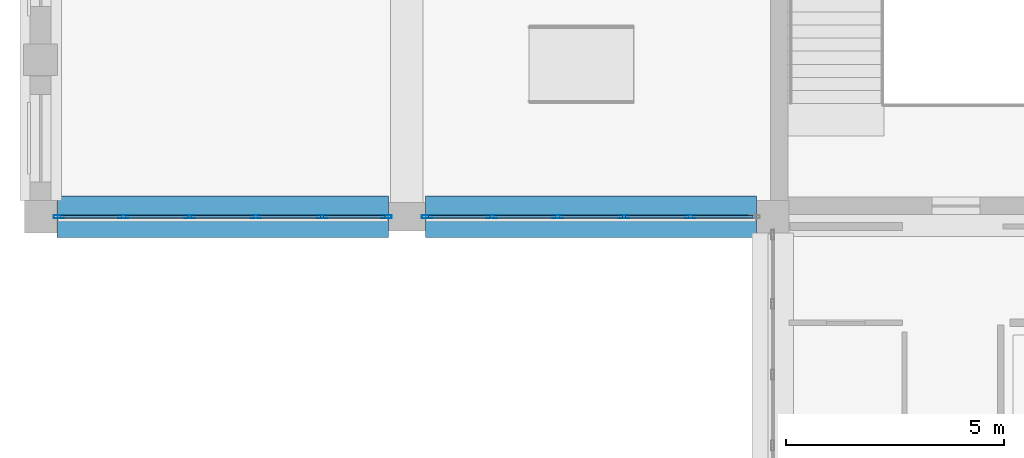
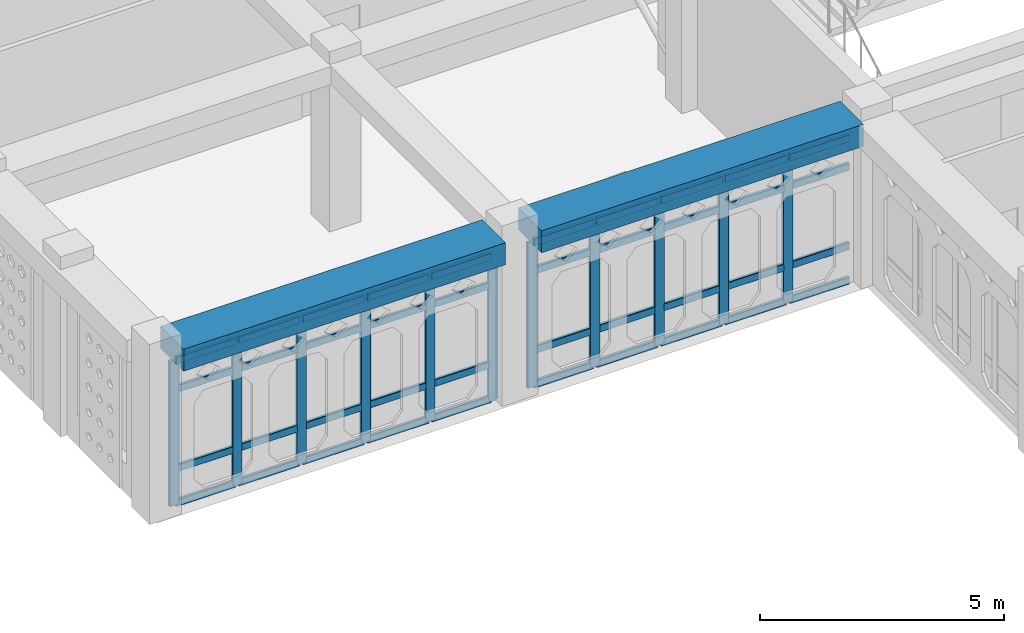
# One storey, part 3 of 121: 51 members, 2 beams, 2 elements without a shape of their own.
"""IFC4 building model written with IfcOpenShell, lengths in metres."""

from ifc_helpers import new_model, si_unit, derived_unit, direction, frame, origin, origin_2d, place, context, subcontext, project, spatial, rectangle, hollow_rectangle, extrude, material, material_profile, profile_set, type_object, element, aggregate, save


model = new_model("IFC4")

# Units and contexts
model_context = context("Model", 3, precision=1e-05, world=origin(), true_north=direction((0.0, 1.0)))
body_context = subcontext(model_context, "Body", "Model", "MODEL_VIEW")
ifc_project = project(units=[si_unit("LENGTHUNIT", "METRE"), si_unit("AREAUNIT", "SQUARE_METRE"), si_unit("VOLUMEUNIT", "CUBIC_METRE"), si_unit("PLANEANGLEUNIT", "RADIAN"), si_unit("MASSUNIT", "GRAM", prefix="KILO"), derived_unit("THERMALTRANSMITTANCEUNIT", [(si_unit("POWERUNIT", "WATT"), 1), (si_unit("LENGTHUNIT", "METRE"), -2), (si_unit("THERMODYNAMICTEMPERATUREUNIT", "KELVIN"), -1)])], contexts=[model_context])

# Site, building, storey
site_placement = place(None, origin())
site = spatial("IfcSite", under=ifc_project, at=site_placement, CompositionType="ELEMENT")
building_placement = place(site_placement, origin())
building = spatial("IfcBuilding", under=site, at=building_placement, Name="Veybourne Emporium", CompositionType="ELEMENT")
storey_placement = place(building_placement, frame((0.0, 0.0, 5.39990234375)))
storey = spatial("IfcBuildingStorey", under=building, at=storey_placement, Name="L01", CompositionType="ELEMENT", Elevation=5.39990234375)

# Curtain wall, members
ifc_material_1 = material(Name="Patinated Architectural Bronze", Category="bronze")
curtain_wall_type_1 = type_object("IfcCurtainWallType", Name="CWSystem_CWS-26", PredefinedType="NOTDEFINED", material=ifc_material_1)
curtain_wall_1_placement = place(storey_placement, origin())
curtain_wall_1 = element("IfcCurtainWall", 1, at=curtain_wall_1_placement, inside=storey, type_object=curtain_wall_type_1, Name="L01 bronze glazed curtain wall CWS-26 (001)", PredefinedType="NOTDEFINED")
ifc_material_profile_1 = material_profile(ifc_material_1, hollow_rectangle(XDim=0.074951171875, YDim=0.22998046875, WallThickness=0.0048828125, InnerFilletRadius=0.007568359375, OuterFilletRadius=0.012451171875, at=origin_2d()), Name="CWM 75x230x5")
ifc_profile_set_1 = profile_set([ifc_material_profile_1], Name="Patinated Architectural Bronze")
member_type_1 = type_object("IfcMemberType", Name="CWMullion_CW-M2", PredefinedType="MULLION", material=ifc_profile_set_1)
member_1_placement = place(storey_placement, frame((7.9375, 14.39990234375, 0.0), z_axis=(0.0, 0.0, 1.0), x_axis=(0.0, -1.0, 0.0)))
member_1 = element("IfcMember", 2, at=member_1_placement, type_object=member_type_1, Name="CWS-26 mullion 1", PredefinedType="MULLION", context=body_context, shape_type="SweptSolid", body=[
    extrude(hollow_rectangle(XDim=0.074951171875, YDim=0.22998046875, WallThickness=0.0048828125, InnerFilletRadius=0.007568359375, OuterFilletRadius=0.012451171875, at=origin_2d()), origin(), (0.0, 0.0, 1.0), 3.630126953125),
])
member_2_placement = place(storey_placement, frame((6.455078125, 14.39990234375, 0.0), z_axis=(0.0, 0.0, 1.0), x_axis=(0.0, -1.0, 0.0)))
member_2 = element("IfcMember", 3, at=member_2_placement, type_object=member_type_1, Name="CWS-26 mullion 2", PredefinedType="MULLION", context=body_context, shape_type="SweptSolid", body=[
    extrude(hollow_rectangle(XDim=0.074951171875, YDim=0.22998046875, WallThickness=0.0048828125, InnerFilletRadius=0.007568359375, OuterFilletRadius=0.012451171875, at=origin_2d()), origin(), (0.0, 0.0, 1.0), 3.630126953125),
])
member_3_placement = place(storey_placement, frame((4.93505859375, 14.39990234375, 0.0), z_axis=(0.0, 0.0, 1.0), x_axis=(0.0, -1.0, 0.0)))
member_3 = element("IfcMember", 4, at=member_3_placement, type_object=member_type_1, Name="CWS-26 mullion 3", PredefinedType="MULLION", context=body_context, shape_type="SweptSolid", body=[
    extrude(hollow_rectangle(XDim=0.074951171875, YDim=0.22998046875, WallThickness=0.0048828125, InnerFilletRadius=0.007568359375, OuterFilletRadius=0.012451171875, at=origin_2d()), origin(), (0.0, 0.0, 1.0), 3.630126953125),
])
member_4_placement = place(storey_placement, frame((3.4150390625, 14.39990234375, 0.0), z_axis=(0.0, 0.0, 1.0), x_axis=(0.0, -1.0, 0.0)))
member_4 = element("IfcMember", 5, at=member_4_placement, type_object=member_type_1, Name="CWS-26 mullion 4", PredefinedType="MULLION", context=body_context, shape_type="SweptSolid", body=[
    extrude(hollow_rectangle(XDim=0.074951171875, YDim=0.22998046875, WallThickness=0.0048828125, InnerFilletRadius=0.007568359375, OuterFilletRadius=0.012451171875, at=origin_2d()), origin(), (0.0, 0.0, 1.0), 3.630126953125),
])
member_5_placement = place(storey_placement, frame((1.89501953125, 14.39990234375, 0.0), z_axis=(0.0, 0.0, 1.0), x_axis=(0.0, -1.0, 0.0)))
member_5 = element("IfcMember", 6, at=member_5_placement, type_object=member_type_1, Name="CWS-26 mullion 5", PredefinedType="MULLION", context=body_context, shape_type="SweptSolid", body=[
    extrude(hollow_rectangle(XDim=0.074951171875, YDim=0.22998046875, WallThickness=0.0048828125, InnerFilletRadius=0.007568359375, OuterFilletRadius=0.012451171875, at=origin_2d()), origin(), (0.0, 0.0, 1.0), 3.630126953125),
])
member_6_placement = place(storey_placement, frame((0.41259765625, 14.39990234375, 0.0), z_axis=(0.0, 0.0, 1.0), x_axis=(0.0, -1.0, 0.0)))
member_6 = element("IfcMember", 7, at=member_6_placement, type_object=member_type_1, Name="CWS-26 mullion 6", PredefinedType="MULLION", context=body_context, shape_type="SweptSolid", body=[
    extrude(hollow_rectangle(XDim=0.074951171875, YDim=0.22998046875, WallThickness=0.0048828125, InnerFilletRadius=0.007568359375, OuterFilletRadius=0.012451171875, at=origin_2d()), origin(), (0.0, 0.0, 1.0), 3.630126953125),
])

curtain_wall_type_2 = type_object("IfcCurtainWallType", Name="CWSystem_CWS-27", PredefinedType="NOTDEFINED", material=ifc_material_1)
curtain_wall_2_placement = place(storey_placement, origin())
curtain_wall_2 = element("IfcCurtainWall", 8, at=curtain_wall_2_placement, inside=storey, type_object=curtain_wall_type_2, Name="L01 bronze glazed curtain wall CWS-27 (012)", PredefinedType="NOTDEFINED")
ifc_material_profile_2 = material_profile(ifc_material_1, hollow_rectangle(XDim=0.077880859375, YDim=0.235107421875, WallThickness=0.0048828125, InnerFilletRadius=0.007568359375, OuterFilletRadius=0.012451171875, at=origin_2d()), Name="CWM 78x235x5")
ifc_profile_set_2 = profile_set([ifc_material_profile_2], Name="Patinated Architectural Bronze")
member_type_2 = type_object("IfcMemberType", Name="CWMullion_CW-M3", PredefinedType="MULLION", material=ifc_profile_set_2)
member_7_placement = place(storey_placement, frame((14.905029296875, 14.39990234375, 0.0), z_axis=(0.0, 0.0, 1.0), x_axis=(0.0, -1.0, 0.0)))
member_7 = element("IfcMember", 9, at=member_7_placement, type_object=member_type_2, Name="CWS-27 mullion 2", PredefinedType="MULLION", context=body_context, shape_type="SweptSolid", body=[
    extrude(hollow_rectangle(XDim=0.077880859375, YDim=0.235107421875, WallThickness=0.0048828125, InnerFilletRadius=0.007568359375, OuterFilletRadius=0.012451171875, at=origin_2d()), origin(), (0.0, 0.0, 1.0), 3.630126953125),
])
member_8_placement = place(storey_placement, frame((13.385009765625, 14.39990234375, 0.0), z_axis=(0.0, 0.0, 1.0), x_axis=(0.0, -1.0, 0.0)))
member_8 = element("IfcMember", 10, at=member_8_placement, type_object=member_type_2, Name="CWS-27 mullion 3", PredefinedType="MULLION", context=body_context, shape_type="SweptSolid", body=[
    extrude(hollow_rectangle(XDim=0.077880859375, YDim=0.235107421875, WallThickness=0.0048828125, InnerFilletRadius=0.007568359375, OuterFilletRadius=0.012451171875, at=origin_2d()), origin(), (0.0, 0.0, 1.0), 3.630126953125),
])
member_9_placement = place(storey_placement, frame((11.864990234375, 14.39990234375, 0.0), z_axis=(0.0, 0.0, 1.0), x_axis=(0.0, -1.0, 0.0)))
member_9 = element("IfcMember", 11, at=member_9_placement, type_object=member_type_2, Name="CWS-27 mullion 4", PredefinedType="MULLION", context=body_context, shape_type="SweptSolid", body=[
    extrude(hollow_rectangle(XDim=0.077880859375, YDim=0.235107421875, WallThickness=0.0048828125, InnerFilletRadius=0.007568359375, OuterFilletRadius=0.012451171875, at=origin_2d()), origin(), (0.0, 0.0, 1.0), 3.630126953125),
])
member_10_placement = place(storey_placement, frame((10.344970703125, 14.39990234375, 0.0), z_axis=(0.0, 0.0, 1.0), x_axis=(0.0, -1.0, 0.0)))
member_10 = element("IfcMember", 12, at=member_10_placement, type_object=member_type_2, Name="CWS-27 mullion 5", PredefinedType="MULLION", context=body_context, shape_type="SweptSolid", body=[
    extrude(hollow_rectangle(XDim=0.077880859375, YDim=0.235107421875, WallThickness=0.0048828125, InnerFilletRadius=0.007568359375, OuterFilletRadius=0.012451171875, at=origin_2d()), origin(), (0.0, 0.0, 1.0), 3.630126953125),
])
member_11_placement = place(storey_placement, frame((8.864013671875, 14.39990234375, 0.0), z_axis=(0.0, 0.0, 1.0), x_axis=(0.0, -1.0, 0.0)))
member_11 = element("IfcMember", 13, at=member_11_placement, type_object=member_type_2, Name="CWS-27 mullion 6", PredefinedType="MULLION", context=body_context, shape_type="SweptSolid", body=[
    extrude(hollow_rectangle(XDim=0.077880859375, YDim=0.235107421875, WallThickness=0.0048828125, InnerFilletRadius=0.007568359375, OuterFilletRadius=0.012451171875, at=origin_2d()), origin(), (0.0, 0.0, 1.0), 3.630126953125),
])

# Member
ifc_material_profile_3 = material_profile(ifc_material_1, hollow_rectangle(XDim=0.074951171875, YDim=0.179931640625, WallThickness=0.0048828125, InnerFilletRadius=0.007568359375, OuterFilletRadius=0.012451171875, at=origin_2d()), Name="CWT 75x180x5")
ifc_profile_set_3 = profile_set([ifc_material_profile_3], Name="Patinated Architectural Bronze")
member_type_3 = type_object("IfcMemberType", Name="CWTransom_CW-T2", PredefinedType="NOTDEFINED", material=ifc_profile_set_3)
member_12_placement = place(storey_placement, frame((7.89990234375, 14.39990234375, 0.03759765625), z_axis=(-1.0, 0.0, 0.0), x_axis=(0.0, -1.0, 0.0)))
member_12 = element("IfcMember", 14, at=member_12_placement, type_object=member_type_3, Name="CWS-26 transom 1.1", ObjectType="TRANSOM", PredefinedType="USERDEFINED", context=body_context, shape_type="SweptSolid", body=[
    extrude(hollow_rectangle(XDim=0.074951171875, YDim=0.179931640625, WallThickness=0.0048828125, InnerFilletRadius=0.007568359375, OuterFilletRadius=0.012451171875, at=origin_2d()), origin(), (0.0, 0.0, 1.0), 1.407470703125),
])

member_13_placement = place(storey_placement, frame((7.89990234375, 14.39990234375, 0.900146484375), z_axis=(-1.0, 0.0, 0.0), x_axis=(0.0, -1.0, 0.0)))
member_13 = element("IfcMember", 15, at=member_13_placement, type_object=member_type_3, Name="CWS-26 transom 1.2", ObjectType="TRANSOM", PredefinedType="USERDEFINED", context=body_context, shape_type="SweptSolid", body=[
    extrude(hollow_rectangle(XDim=0.074951171875, YDim=0.179931640625, WallThickness=0.0048828125, InnerFilletRadius=0.007568359375, OuterFilletRadius=0.012451171875, at=origin_2d()), origin(), (0.0, 0.0, 1.0), 1.407470703125),
])

member_14_placement = place(storey_placement, frame((7.89990234375, 14.39990234375, 2.880126953125), z_axis=(-1.0, 0.0, 0.0), x_axis=(0.0, -1.0, 0.0)))
member_14 = element("IfcMember", 16, at=member_14_placement, type_object=member_type_3, Name="CWS-26 transom 1.3", ObjectType="TRANSOM", PredefinedType="USERDEFINED", context=body_context, shape_type="SweptSolid", body=[
    extrude(hollow_rectangle(XDim=0.074951171875, YDim=0.179931640625, WallThickness=0.0048828125, InnerFilletRadius=0.007568359375, OuterFilletRadius=0.012451171875, at=origin_2d()), origin(), (0.0, 0.0, 1.0), 1.407470703125),
])

member_15_placement = place(storey_placement, frame((7.89990234375, 14.39990234375, 3.592529296875), z_axis=(-1.0, 0.0, 0.0), x_axis=(0.0, -1.0, 0.0)))
member_15 = element("IfcMember", 17, at=member_15_placement, type_object=member_type_3, Name="CWS-26 transom 1.4", ObjectType="TRANSOM", PredefinedType="USERDEFINED", context=body_context, shape_type="SweptSolid", body=[
    extrude(hollow_rectangle(XDim=0.074951171875, YDim=0.179931640625, WallThickness=0.0048828125, InnerFilletRadius=0.007568359375, OuterFilletRadius=0.012451171875, at=origin_2d()), origin(), (0.0, 0.0, 1.0), 1.407470703125),
])

member_16_placement = place(storey_placement, frame((6.41748046875, 14.39990234375, 0.03759765625), z_axis=(-1.0, 0.0, 0.0), x_axis=(0.0, -1.0, 0.0)))
member_16 = element("IfcMember", 18, at=member_16_placement, type_object=member_type_3, Name="CWS-26 transom 2.1", ObjectType="TRANSOM", PredefinedType="USERDEFINED", context=body_context, shape_type="SweptSolid", body=[
    extrude(hollow_rectangle(XDim=0.074951171875, YDim=0.179931640625, WallThickness=0.0048828125, InnerFilletRadius=0.007568359375, OuterFilletRadius=0.012451171875, at=origin_2d()), origin(), (0.0, 0.0, 1.0), 1.445068359375),
])

member_17_placement = place(storey_placement, frame((6.41748046875, 14.39990234375, 0.900146484375), z_axis=(-1.0, 0.0, 0.0), x_axis=(0.0, -1.0, 0.0)))
member_17 = element("IfcMember", 19, at=member_17_placement, type_object=member_type_3, Name="CWS-26 transom 2.2", ObjectType="TRANSOM", PredefinedType="USERDEFINED", context=body_context, shape_type="SweptSolid", body=[
    extrude(hollow_rectangle(XDim=0.074951171875, YDim=0.179931640625, WallThickness=0.0048828125, InnerFilletRadius=0.007568359375, OuterFilletRadius=0.012451171875, at=origin_2d()), origin(), (0.0, 0.0, 1.0), 1.445068359375),
])

member_18_placement = place(storey_placement, frame((6.41748046875, 14.39990234375, 2.880126953125), z_axis=(-1.0, 0.0, 0.0), x_axis=(0.0, -1.0, 0.0)))
member_18 = element("IfcMember", 20, at=member_18_placement, type_object=member_type_3, Name="CWS-26 transom 2.3", ObjectType="TRANSOM", PredefinedType="USERDEFINED", context=body_context, shape_type="SweptSolid", body=[
    extrude(hollow_rectangle(XDim=0.074951171875, YDim=0.179931640625, WallThickness=0.0048828125, InnerFilletRadius=0.007568359375, OuterFilletRadius=0.012451171875, at=origin_2d()), origin(), (0.0, 0.0, 1.0), 1.445068359375),
])

member_19_placement = place(storey_placement, frame((6.41748046875, 14.39990234375, 3.592529296875), z_axis=(-1.0, 0.0, 0.0), x_axis=(0.0, -1.0, 0.0)))
member_19 = element("IfcMember", 21, at=member_19_placement, type_object=member_type_3, Name="CWS-26 transom 2.4", ObjectType="TRANSOM", PredefinedType="USERDEFINED", context=body_context, shape_type="SweptSolid", body=[
    extrude(hollow_rectangle(XDim=0.074951171875, YDim=0.179931640625, WallThickness=0.0048828125, InnerFilletRadius=0.007568359375, OuterFilletRadius=0.012451171875, at=origin_2d()), origin(), (0.0, 0.0, 1.0), 1.445068359375),
])

member_20_placement = place(storey_placement, frame((4.8974609375, 14.39990234375, 0.03759765625), z_axis=(-1.0, 0.0, 0.0), x_axis=(0.0, -1.0, 0.0)))
member_20 = element("IfcMember", 22, at=member_20_placement, type_object=member_type_3, Name="CWS-26 transom 3.1", ObjectType="TRANSOM", PredefinedType="USERDEFINED", context=body_context, shape_type="SweptSolid", body=[
    extrude(hollow_rectangle(XDim=0.074951171875, YDim=0.179931640625, WallThickness=0.0048828125, InnerFilletRadius=0.007568359375, OuterFilletRadius=0.012451171875, at=origin_2d()), origin(), (0.0, 0.0, 1.0), 1.445068359375),
])

member_21_placement = place(storey_placement, frame((4.8974609375, 14.39990234375, 0.900146484375), z_axis=(-1.0, 0.0, 0.0), x_axis=(0.0, -1.0, 0.0)))
member_21 = element("IfcMember", 23, at=member_21_placement, type_object=member_type_3, Name="CWS-26 transom 3.2", ObjectType="TRANSOM", PredefinedType="USERDEFINED", context=body_context, shape_type="SweptSolid", body=[
    extrude(hollow_rectangle(XDim=0.074951171875, YDim=0.179931640625, WallThickness=0.0048828125, InnerFilletRadius=0.007568359375, OuterFilletRadius=0.012451171875, at=origin_2d()), origin(), (0.0, 0.0, 1.0), 1.445068359375),
])

member_22_placement = place(storey_placement, frame((4.8974609375, 14.39990234375, 2.880126953125), z_axis=(-1.0, 0.0, 0.0), x_axis=(0.0, -1.0, 0.0)))
member_22 = element("IfcMember", 24, at=member_22_placement, type_object=member_type_3, Name="CWS-26 transom 3.3", ObjectType="TRANSOM", PredefinedType="USERDEFINED", context=body_context, shape_type="SweptSolid", body=[
    extrude(hollow_rectangle(XDim=0.074951171875, YDim=0.179931640625, WallThickness=0.0048828125, InnerFilletRadius=0.007568359375, OuterFilletRadius=0.012451171875, at=origin_2d()), origin(), (0.0, 0.0, 1.0), 1.445068359375),
])

member_23_placement = place(storey_placement, frame((4.8974609375, 14.39990234375, 3.592529296875), z_axis=(-1.0, 0.0, 0.0), x_axis=(0.0, -1.0, 0.0)))
member_23 = element("IfcMember", 25, at=member_23_placement, type_object=member_type_3, Name="CWS-26 transom 3.4", ObjectType="TRANSOM", PredefinedType="USERDEFINED", context=body_context, shape_type="SweptSolid", body=[
    extrude(hollow_rectangle(XDim=0.074951171875, YDim=0.179931640625, WallThickness=0.0048828125, InnerFilletRadius=0.007568359375, OuterFilletRadius=0.012451171875, at=origin_2d()), origin(), (0.0, 0.0, 1.0), 1.445068359375),
])

member_24_placement = place(storey_placement, frame((3.37744140625, 14.39990234375, 0.03759765625), z_axis=(-1.0, 0.0, 0.0), x_axis=(0.0, -1.0, 0.0)))
member_24 = element("IfcMember", 26, at=member_24_placement, type_object=member_type_3, Name="CWS-26 transom 4.1", ObjectType="TRANSOM", PredefinedType="USERDEFINED", context=body_context, shape_type="SweptSolid", body=[
    extrude(hollow_rectangle(XDim=0.074951171875, YDim=0.179931640625, WallThickness=0.0048828125, InnerFilletRadius=0.007568359375, OuterFilletRadius=0.012451171875, at=origin_2d()), origin(), (0.0, 0.0, 1.0), 1.44482421875),
])

member_25_placement = place(storey_placement, frame((3.37744140625, 14.39990234375, 0.900146484375), z_axis=(-1.0, 0.0, 0.0), x_axis=(0.0, -1.0, 0.0)))
member_25 = element("IfcMember", 27, at=member_25_placement, type_object=member_type_3, Name="CWS-26 transom 4.2", ObjectType="TRANSOM", PredefinedType="USERDEFINED", context=body_context, shape_type="SweptSolid", body=[
    extrude(hollow_rectangle(XDim=0.074951171875, YDim=0.179931640625, WallThickness=0.0048828125, InnerFilletRadius=0.007568359375, OuterFilletRadius=0.012451171875, at=origin_2d()), origin(), (0.0, 0.0, 1.0), 1.44482421875),
])

member_26_placement = place(storey_placement, frame((3.37744140625, 14.39990234375, 2.880126953125), z_axis=(-1.0, 0.0, 0.0), x_axis=(0.0, -1.0, 0.0)))
member_26 = element("IfcMember", 28, at=member_26_placement, type_object=member_type_3, Name="CWS-26 transom 4.3", ObjectType="TRANSOM", PredefinedType="USERDEFINED", context=body_context, shape_type="SweptSolid", body=[
    extrude(hollow_rectangle(XDim=0.074951171875, YDim=0.179931640625, WallThickness=0.0048828125, InnerFilletRadius=0.007568359375, OuterFilletRadius=0.012451171875, at=origin_2d()), origin(), (0.0, 0.0, 1.0), 1.44482421875),
])

member_27_placement = place(storey_placement, frame((3.37744140625, 14.39990234375, 3.592529296875), z_axis=(-1.0, 0.0, 0.0), x_axis=(0.0, -1.0, 0.0)))
member_27 = element("IfcMember", 29, at=member_27_placement, type_object=member_type_3, Name="CWS-26 transom 4.4", ObjectType="TRANSOM", PredefinedType="USERDEFINED", context=body_context, shape_type="SweptSolid", body=[
    extrude(hollow_rectangle(XDim=0.074951171875, YDim=0.179931640625, WallThickness=0.0048828125, InnerFilletRadius=0.007568359375, OuterFilletRadius=0.012451171875, at=origin_2d()), origin(), (0.0, 0.0, 1.0), 1.44482421875),
])

member_28_placement = place(storey_placement, frame((1.857421875, 14.39990234375, 0.03759765625), z_axis=(-1.0, 0.0, 0.0), x_axis=(0.0, -1.0, 0.0)))
member_28 = element("IfcMember", 30, at=member_28_placement, type_object=member_type_3, Name="CWS-26 transom 5.1", ObjectType="TRANSOM", PredefinedType="USERDEFINED", context=body_context, shape_type="SweptSolid", body=[
    extrude(hollow_rectangle(XDim=0.074951171875, YDim=0.179931640625, WallThickness=0.0048828125, InnerFilletRadius=0.007568359375, OuterFilletRadius=0.012451171875, at=origin_2d()), origin(), (0.0, 0.0, 1.0), 1.407470703125),
])

member_29_placement = place(storey_placement, frame((1.857421875, 14.39990234375, 0.900146484375), z_axis=(-1.0, 0.0, 0.0), x_axis=(0.0, -1.0, 0.0)))
member_29 = element("IfcMember", 31, at=member_29_placement, type_object=member_type_3, Name="CWS-26 transom 5.2", ObjectType="TRANSOM", PredefinedType="USERDEFINED", context=body_context, shape_type="SweptSolid", body=[
    extrude(hollow_rectangle(XDim=0.074951171875, YDim=0.179931640625, WallThickness=0.0048828125, InnerFilletRadius=0.007568359375, OuterFilletRadius=0.012451171875, at=origin_2d()), origin(), (0.0, 0.0, 1.0), 1.407470703125),
])

member_30_placement = place(storey_placement, frame((1.857421875, 14.39990234375, 2.880126953125), z_axis=(-1.0, 0.0, 0.0), x_axis=(0.0, -1.0, 0.0)))
member_30 = element("IfcMember", 32, at=member_30_placement, type_object=member_type_3, Name="CWS-26 transom 5.3", ObjectType="TRANSOM", PredefinedType="USERDEFINED", context=body_context, shape_type="SweptSolid", body=[
    extrude(hollow_rectangle(XDim=0.074951171875, YDim=0.179931640625, WallThickness=0.0048828125, InnerFilletRadius=0.007568359375, OuterFilletRadius=0.012451171875, at=origin_2d()), origin(), (0.0, 0.0, 1.0), 1.407470703125),
])

member_31_placement = place(storey_placement, frame((1.857421875, 14.39990234375, 3.592529296875), z_axis=(-1.0, 0.0, 0.0), x_axis=(0.0, -1.0, 0.0)))
member_31 = element("IfcMember", 33, at=member_31_placement, type_object=member_type_3, Name="CWS-26 transom 5.4", ObjectType="TRANSOM", PredefinedType="USERDEFINED", context=body_context, shape_type="SweptSolid", body=[
    extrude(hollow_rectangle(XDim=0.074951171875, YDim=0.179931640625, WallThickness=0.0048828125, InnerFilletRadius=0.007568359375, OuterFilletRadius=0.012451171875, at=origin_2d()), origin(), (0.0, 0.0, 1.0), 1.407470703125),
])

aggregate(curtain_wall_1, [member_1, member_2, member_3, member_4, member_5, member_6, member_12, member_13, member_14, member_15, member_16, member_17, member_18, member_19, member_20, member_21, member_22, member_23, member_24, member_25, member_26, member_27, member_28, member_29, member_30, member_31])

ifc_material_profile_4 = material_profile(ifc_material_1, hollow_rectangle(XDim=0.077880859375, YDim=0.18505859375, WallThickness=0.0048828125, InnerFilletRadius=0.007568359375, OuterFilletRadius=0.012451171875, at=origin_2d()), Name="CWT 78x185x5")
ifc_profile_set_4 = profile_set([ifc_material_profile_4], Name="Patinated Architectural Bronze")
member_type_4 = type_object("IfcMemberType", Name="CWTransom_CW-T3", PredefinedType="NOTDEFINED", material=ifc_profile_set_4)
member_32_placement = place(storey_placement, frame((16.346923828125, 14.39990234375, 0.0390625), z_axis=(-1.0, 0.0, 0.0), x_axis=(0.0, -1.0, 0.0)))
member_32 = element("IfcMember", 34, at=member_32_placement, type_object=member_type_4, Name="CWS-27 transom 1.1", ObjectType="TRANSOM", PredefinedType="USERDEFINED", context=body_context, shape_type="SweptSolid", body=[
    extrude(hollow_rectangle(XDim=0.077880859375, YDim=0.18505859375, WallThickness=0.0048828125, InnerFilletRadius=0.007568359375, OuterFilletRadius=0.012451171875, at=origin_2d()), origin(), (0.0, 0.0, 1.0), 1.40283203125),
])

member_33_placement = place(storey_placement, frame((16.346923828125, 14.39990234375, 0.900146484375), z_axis=(-1.0, 0.0, 0.0), x_axis=(0.0, -1.0, 0.0)))
member_33 = element("IfcMember", 35, at=member_33_placement, type_object=member_type_4, Name="CWS-27 transom 1.2", ObjectType="TRANSOM", PredefinedType="USERDEFINED", context=body_context, shape_type="SweptSolid", body=[
    extrude(hollow_rectangle(XDim=0.077880859375, YDim=0.18505859375, WallThickness=0.0048828125, InnerFilletRadius=0.007568359375, OuterFilletRadius=0.012451171875, at=origin_2d()), origin(), (0.0, 0.0, 1.0), 1.40283203125),
])

member_34_placement = place(storey_placement, frame((16.346923828125, 14.39990234375, 2.880126953125), z_axis=(-1.0, 0.0, 0.0), x_axis=(0.0, -1.0, 0.0)))
member_34 = element("IfcMember", 36, at=member_34_placement, type_object=member_type_4, Name="CWS-27 transom 1.3", ObjectType="TRANSOM", PredefinedType="USERDEFINED", context=body_context, shape_type="SweptSolid", body=[
    extrude(hollow_rectangle(XDim=0.077880859375, YDim=0.18505859375, WallThickness=0.0048828125, InnerFilletRadius=0.007568359375, OuterFilletRadius=0.012451171875, at=origin_2d()), origin(), (0.0, 0.0, 1.0), 1.40283203125),
])

member_35_placement = place(storey_placement, frame((16.346923828125, 14.39990234375, 3.591064453125), z_axis=(-1.0, 0.0, 0.0), x_axis=(0.0, -1.0, 0.0)))
member_35 = element("IfcMember", 37, at=member_35_placement, type_object=member_type_4, Name="CWS-27 transom 1.4", ObjectType="TRANSOM", PredefinedType="USERDEFINED", context=body_context, shape_type="SweptSolid", body=[
    extrude(hollow_rectangle(XDim=0.077880859375, YDim=0.18505859375, WallThickness=0.0048828125, InnerFilletRadius=0.007568359375, OuterFilletRadius=0.012451171875, at=origin_2d()), origin(), (0.0, 0.0, 1.0), 1.40283203125),
])

member_36_placement = place(storey_placement, frame((14.865966796875, 14.39990234375, 0.0390625), z_axis=(-1.0, 0.0, 0.0), x_axis=(0.0, -1.0, 0.0)))
member_36 = element("IfcMember", 38, at=member_36_placement, type_object=member_type_4, Name="CWS-27 transom 2.1", ObjectType="TRANSOM", PredefinedType="USERDEFINED", context=body_context, shape_type="SweptSolid", body=[
    extrude(hollow_rectangle(XDim=0.077880859375, YDim=0.18505859375, WallThickness=0.0048828125, InnerFilletRadius=0.007568359375, OuterFilletRadius=0.012451171875, at=origin_2d()), origin(), (0.0, 0.0, 1.0), 1.44189453125),
])

member_37_placement = place(storey_placement, frame((14.865966796875, 14.39990234375, 0.900146484375), z_axis=(-1.0, 0.0, 0.0), x_axis=(0.0, -1.0, 0.0)))
member_37 = element("IfcMember", 39, at=member_37_placement, type_object=member_type_4, Name="CWS-27 transom 2.2", ObjectType="TRANSOM", PredefinedType="USERDEFINED", context=body_context, shape_type="SweptSolid", body=[
    extrude(hollow_rectangle(XDim=0.077880859375, YDim=0.18505859375, WallThickness=0.0048828125, InnerFilletRadius=0.007568359375, OuterFilletRadius=0.012451171875, at=origin_2d()), origin(), (0.0, 0.0, 1.0), 1.44189453125),
])

member_38_placement = place(storey_placement, frame((14.865966796875, 14.39990234375, 2.880126953125), z_axis=(-1.0, 0.0, 0.0), x_axis=(0.0, -1.0, 0.0)))
member_38 = element("IfcMember", 40, at=member_38_placement, type_object=member_type_4, Name="CWS-27 transom 2.3", ObjectType="TRANSOM", PredefinedType="USERDEFINED", context=body_context, shape_type="SweptSolid", body=[
    extrude(hollow_rectangle(XDim=0.077880859375, YDim=0.18505859375, WallThickness=0.0048828125, InnerFilletRadius=0.007568359375, OuterFilletRadius=0.012451171875, at=origin_2d()), origin(), (0.0, 0.0, 1.0), 1.44189453125),
])

member_39_placement = place(storey_placement, frame((14.865966796875, 14.39990234375, 3.591064453125), z_axis=(-1.0, 0.0, 0.0), x_axis=(0.0, -1.0, 0.0)))
member_39 = element("IfcMember", 41, at=member_39_placement, type_object=member_type_4, Name="CWS-27 transom 2.4", ObjectType="TRANSOM", PredefinedType="USERDEFINED", context=body_context, shape_type="SweptSolid", body=[
    extrude(hollow_rectangle(XDim=0.077880859375, YDim=0.18505859375, WallThickness=0.0048828125, InnerFilletRadius=0.007568359375, OuterFilletRadius=0.012451171875, at=origin_2d()), origin(), (0.0, 0.0, 1.0), 1.44189453125),
])

member_40_placement = place(storey_placement, frame((13.345947265625, 14.39990234375, 0.0390625), z_axis=(-1.0, 0.0, 0.0), x_axis=(0.0, -1.0, 0.0)))
member_40 = element("IfcMember", 42, at=member_40_placement, type_object=member_type_4, Name="CWS-27 transom 3.1", ObjectType="TRANSOM", PredefinedType="USERDEFINED", context=body_context, shape_type="SweptSolid", body=[
    extrude(hollow_rectangle(XDim=0.077880859375, YDim=0.18505859375, WallThickness=0.0048828125, InnerFilletRadius=0.007568359375, OuterFilletRadius=0.012451171875, at=origin_2d()), origin(), (0.0, 0.0, 1.0), 1.44189453125),
])

member_41_placement = place(storey_placement, frame((13.345947265625, 14.39990234375, 0.900146484375), z_axis=(-1.0, 0.0, 0.0), x_axis=(0.0, -1.0, 0.0)))
member_41 = element("IfcMember", 43, at=member_41_placement, type_object=member_type_4, Name="CWS-27 transom 3.2", ObjectType="TRANSOM", PredefinedType="USERDEFINED", context=body_context, shape_type="SweptSolid", body=[
    extrude(hollow_rectangle(XDim=0.077880859375, YDim=0.18505859375, WallThickness=0.0048828125, InnerFilletRadius=0.007568359375, OuterFilletRadius=0.012451171875, at=origin_2d()), origin(), (0.0, 0.0, 1.0), 1.44189453125),
])

member_42_placement = place(storey_placement, frame((13.345947265625, 14.39990234375, 2.880126953125), z_axis=(-1.0, 0.0, 0.0), x_axis=(0.0, -1.0, 0.0)))
member_42 = element("IfcMember", 44, at=member_42_placement, type_object=member_type_4, Name="CWS-27 transom 3.3", ObjectType="TRANSOM", PredefinedType="USERDEFINED", context=body_context, shape_type="SweptSolid", body=[
    extrude(hollow_rectangle(XDim=0.077880859375, YDim=0.18505859375, WallThickness=0.0048828125, InnerFilletRadius=0.007568359375, OuterFilletRadius=0.012451171875, at=origin_2d()), origin(), (0.0, 0.0, 1.0), 1.44189453125),
])

member_43_placement = place(storey_placement, frame((13.345947265625, 14.39990234375, 3.591064453125), z_axis=(-1.0, 0.0, 0.0), x_axis=(0.0, -1.0, 0.0)))
member_43 = element("IfcMember", 45, at=member_43_placement, type_object=member_type_4, Name="CWS-27 transom 3.4", ObjectType="TRANSOM", PredefinedType="USERDEFINED", context=body_context, shape_type="SweptSolid", body=[
    extrude(hollow_rectangle(XDim=0.077880859375, YDim=0.18505859375, WallThickness=0.0048828125, InnerFilletRadius=0.007568359375, OuterFilletRadius=0.012451171875, at=origin_2d()), origin(), (0.0, 0.0, 1.0), 1.44189453125),
])

member_44_placement = place(storey_placement, frame((11.825927734375, 14.39990234375, 0.0390625), z_axis=(-1.0, 0.0, 0.0), x_axis=(0.0, -1.0, 0.0)))
member_44 = element("IfcMember", 46, at=member_44_placement, type_object=member_type_4, Name="CWS-27 transom 4.1", ObjectType="TRANSOM", PredefinedType="USERDEFINED", context=body_context, shape_type="SweptSolid", body=[
    extrude(hollow_rectangle(XDim=0.077880859375, YDim=0.18505859375, WallThickness=0.0048828125, InnerFilletRadius=0.007568359375, OuterFilletRadius=0.012451171875, at=origin_2d()), origin(), (0.0, 0.0, 1.0), 1.44189453125),
])

member_45_placement = place(storey_placement, frame((11.825927734375, 14.39990234375, 0.900146484375), z_axis=(-1.0, 0.0, 0.0), x_axis=(0.0, -1.0, 0.0)))
member_45 = element("IfcMember", 47, at=member_45_placement, type_object=member_type_4, Name="CWS-27 transom 4.2", ObjectType="TRANSOM", PredefinedType="USERDEFINED", context=body_context, shape_type="SweptSolid", body=[
    extrude(hollow_rectangle(XDim=0.077880859375, YDim=0.18505859375, WallThickness=0.0048828125, InnerFilletRadius=0.007568359375, OuterFilletRadius=0.012451171875, at=origin_2d()), origin(), (0.0, 0.0, 1.0), 1.44189453125),
])

member_46_placement = place(storey_placement, frame((11.825927734375, 14.39990234375, 2.880126953125), z_axis=(-1.0, 0.0, 0.0), x_axis=(0.0, -1.0, 0.0)))
member_46 = element("IfcMember", 48, at=member_46_placement, type_object=member_type_4, Name="CWS-27 transom 4.3", ObjectType="TRANSOM", PredefinedType="USERDEFINED", context=body_context, shape_type="SweptSolid", body=[
    extrude(hollow_rectangle(XDim=0.077880859375, YDim=0.18505859375, WallThickness=0.0048828125, InnerFilletRadius=0.007568359375, OuterFilletRadius=0.012451171875, at=origin_2d()), origin(), (0.0, 0.0, 1.0), 1.44189453125),
])

member_47_placement = place(storey_placement, frame((11.825927734375, 14.39990234375, 3.591064453125), z_axis=(-1.0, 0.0, 0.0), x_axis=(0.0, -1.0, 0.0)))
member_47 = element("IfcMember", 49, at=member_47_placement, type_object=member_type_4, Name="CWS-27 transom 4.4", ObjectType="TRANSOM", PredefinedType="USERDEFINED", context=body_context, shape_type="SweptSolid", body=[
    extrude(hollow_rectangle(XDim=0.077880859375, YDim=0.18505859375, WallThickness=0.0048828125, InnerFilletRadius=0.007568359375, OuterFilletRadius=0.012451171875, at=origin_2d()), origin(), (0.0, 0.0, 1.0), 1.44189453125),
])

member_48_placement = place(storey_placement, frame((10.305908203125, 14.39990234375, 0.0390625), z_axis=(-1.0, 0.0, 0.0), x_axis=(0.0, -1.0, 0.0)))
member_48 = element("IfcMember", 50, at=member_48_placement, type_object=member_type_4, Name="CWS-27 transom 5.1", ObjectType="TRANSOM", PredefinedType="USERDEFINED", context=body_context, shape_type="SweptSolid", body=[
    extrude(hollow_rectangle(XDim=0.077880859375, YDim=0.18505859375, WallThickness=0.0048828125, InnerFilletRadius=0.007568359375, OuterFilletRadius=0.012451171875, at=origin_2d()), origin(), (0.0, 0.0, 1.0), 1.40283203125),
])

member_49_placement = place(storey_placement, frame((10.305908203125, 14.39990234375, 0.900146484375), z_axis=(-1.0, 0.0, 0.0), x_axis=(0.0, -1.0, 0.0)))
member_49 = element("IfcMember", 51, at=member_49_placement, type_object=member_type_4, Name="CWS-27 transom 5.2", ObjectType="TRANSOM", PredefinedType="USERDEFINED", context=body_context, shape_type="SweptSolid", body=[
    extrude(hollow_rectangle(XDim=0.077880859375, YDim=0.18505859375, WallThickness=0.0048828125, InnerFilletRadius=0.007568359375, OuterFilletRadius=0.012451171875, at=origin_2d()), origin(), (0.0, 0.0, 1.0), 1.40283203125),
])

member_50_placement = place(storey_placement, frame((10.305908203125, 14.39990234375, 2.880126953125), z_axis=(-1.0, 0.0, 0.0), x_axis=(0.0, -1.0, 0.0)))
member_50 = element("IfcMember", 52, at=member_50_placement, type_object=member_type_4, Name="CWS-27 transom 5.3", ObjectType="TRANSOM", PredefinedType="USERDEFINED", context=body_context, shape_type="SweptSolid", body=[
    extrude(hollow_rectangle(XDim=0.077880859375, YDim=0.18505859375, WallThickness=0.0048828125, InnerFilletRadius=0.007568359375, OuterFilletRadius=0.012451171875, at=origin_2d()), origin(), (0.0, 0.0, 1.0), 1.40283203125),
])

member_51_placement = place(storey_placement, frame((10.305908203125, 14.39990234375, 3.591064453125), z_axis=(-1.0, 0.0, 0.0), x_axis=(0.0, -1.0, 0.0)))
member_51 = element("IfcMember", 53, at=member_51_placement, type_object=member_type_4, Name="CWS-27 transom 5.4", ObjectType="TRANSOM", PredefinedType="USERDEFINED", context=body_context, shape_type="SweptSolid", body=[
    extrude(hollow_rectangle(XDim=0.077880859375, YDim=0.18505859375, WallThickness=0.0048828125, InnerFilletRadius=0.007568359375, OuterFilletRadius=0.012451171875, at=origin_2d()), origin(), (0.0, 0.0, 1.0), 1.40283203125),
])

aggregate(curtain_wall_2, [member_7, member_8, member_9, member_10, member_11, member_32, member_33, member_34, member_35, member_36, member_37, member_38, member_39, member_40, member_41, member_42, member_43, member_44, member_45, member_46, member_47, member_48, member_49, member_50, member_51])

# Beams
ifc_material_2 = material(Name="Concrete C32/40", Category="concrete")
ifc_material_profile_5 = material_profile(ifc_material_2, rectangle(XDim=0.949951171875, YDim=0.550048828125, at=origin_2d()), Name="RC 950x550")
ifc_profile_set_5 = profile_set([ifc_material_profile_5], Name="Concrete C32/40")
beam_type = type_object("IfcBeamType", Name="RCBeam_EB-01", PredefinedType="SPANDREL", material=ifc_profile_set_5)
for number, where, z_axis, x_axis, name in (
    (54, (0.375, 14.39990234375, 3.905029296875), (1.0, 0.0, 0.0), (0.0, 1.0, 0.0), "L01 X-grid beam EB-01 (0,2)"),
    (55, (8.824951171875, 14.39990234375, 3.905029296875), (1.0, 0.0, 0.0), (0.0, 1.0, 0.0), "L01 X-grid beam EB-01 (1,2)"),
):
    element("IfcBeam", number, at=place(storey_placement, frame(where, z_axis=z_axis, x_axis=x_axis)), inside=storey, type_object=beam_type, Name=name, PredefinedType="SPANDREL", context=body_context, shape_type="SweptSolid", body=[
        extrude(rectangle(XDim=0.949951171875, YDim=0.550048828125, at=origin_2d()), origin(), (0.0, 0.0, 1.0), 7.60009765625),
    ])

save(model, "model.ifc")
